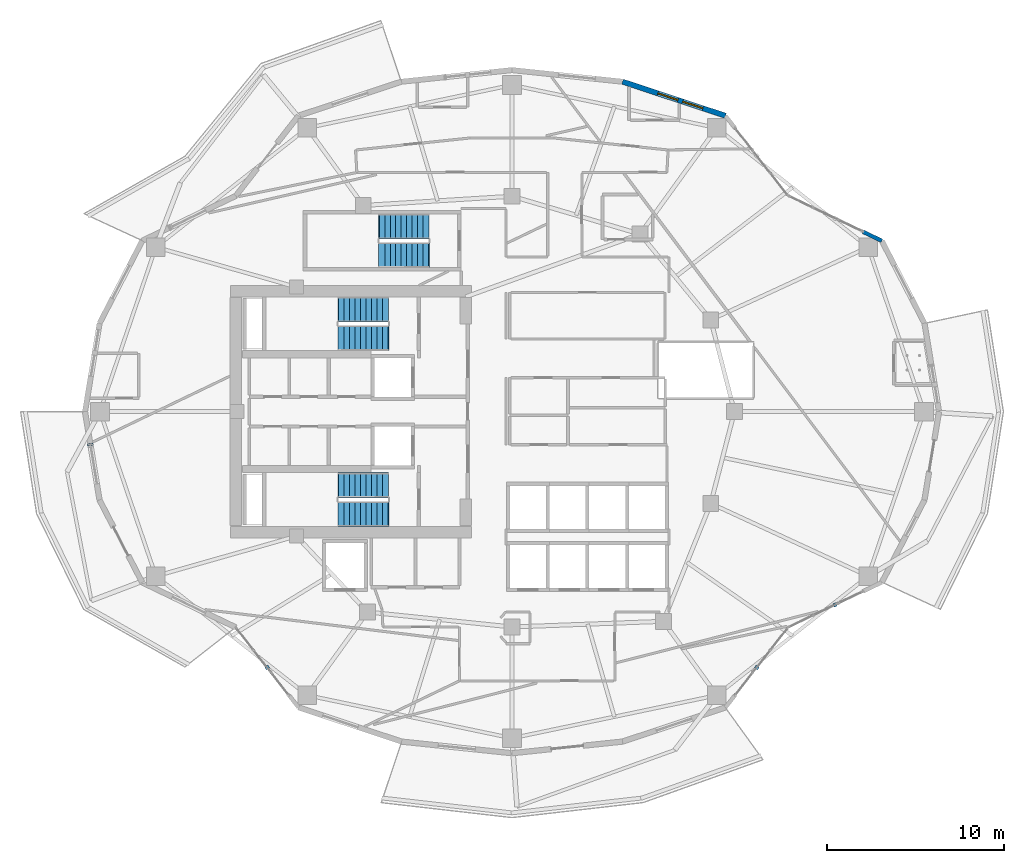
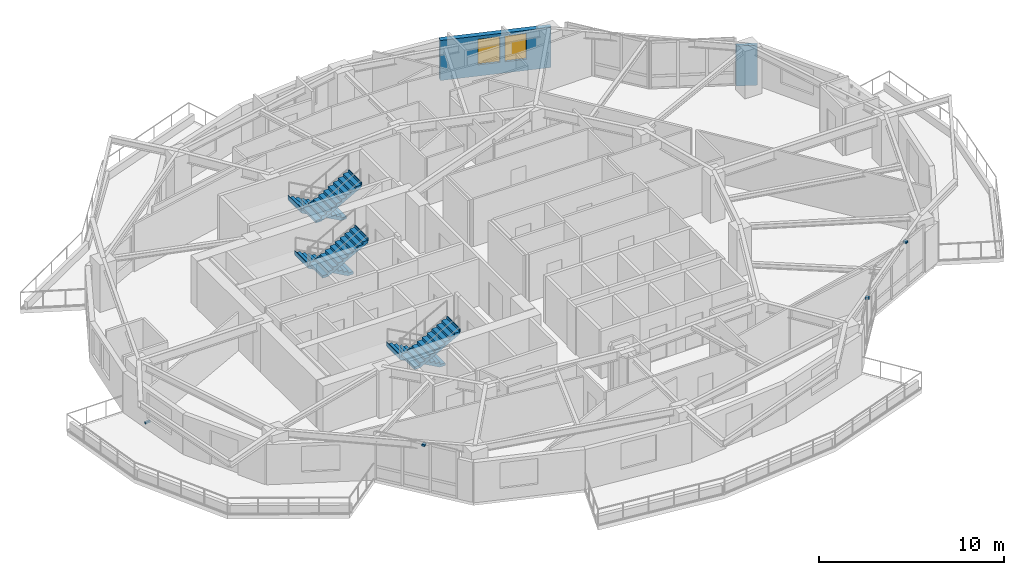
# One storey, part 13 of 19: 6 stair flights, 4 discrete accessories, 2 walls, 2 windows, 2 openings, 3 elements without a shape of their own.
"""IFC4 building model written with IfcOpenShell, lengths in metres."""

from ifc_helpers import new_model, si_unit, direction, frame, frame_2d, origin, origin_2d, place, context, subcontext, project, spatial, polyline, rectangle, outline, extrude, material, layer, layer_set, type_object, element, fill, aggregate, save


model = new_model("IFC4")

# Units and contexts
model_context = context("Model", 3, precision=1e-05, world=origin(), true_north=direction((0.0, 1.0)))
body_context = subcontext(model_context, "Body", "Model", "MODEL_VIEW")
ifc_project = project(units=[si_unit("LENGTHUNIT", "METRE"), si_unit("AREAUNIT", "SQUARE_METRE"), si_unit("VOLUMEUNIT", "CUBIC_METRE"), si_unit("PLANEANGLEUNIT", "RADIAN"), si_unit("MASSUNIT", "GRAM", prefix="KILO")], contexts=[model_context])

# Site, building, storey
site_placement = place(None, origin())
site = spatial("IfcSite", under=ifc_project, at=site_placement, CompositionType="ELEMENT")
building_placement = place(site_placement, origin())
building = spatial("IfcBuilding", under=site, at=building_placement, Name="Kolvaren Gate Tower and Convention Centre", CompositionType="ELEMENT")
storey_placement = place(building_placement, frame((0.0, 0.0, 122.300048828125)))
storey = spatial("IfcBuildingStorey", under=building, at=storey_placement, Name="L30", CompositionType="ELEMENT", Elevation=122.300048828125)

# Wall
ifc_material_1 = material(Name="Bogota Sabana Bush-Hammered Sandstone Cladding", Category="masonry")
ifc_layer_1 = layer(ifc_material_1, 0.219970703125)
ifc_layer_set_1 = layer_set([ifc_layer_1], Name="Bogota Sabana Bush-Hammered Sandstone Cladding")
wall_type_1 = type_object("IfcWallType", Name="ARCH-WL-PIER-220", PredefinedType="SOLIDWALL", material=ifc_layer_set_1)
wall_1_placement = place(storey_placement, frame((50.0068359375, 37.186767578125, 0.0), z_axis=(0.0, 0.0, 1.0), x_axis=(0.90138115854, -0.433026566193, 0.0)))
element("IfcWall", 1, at=wall_1_placement, inside=storey, type_object=wall_type_1, Name="Tower L30 Unitised Curtain Wall CW-HTL-UNIT Bay 02 Right Column Pier Wrap", PredefinedType="SOLIDWALL", context=body_context, shape_type="SweptSolid", body=[
    extrude(rectangle(XDim=1.181640625, YDim=0.219970703125, at=frame_2d((0.5908203125, 0.0))), origin(), (0.0, 0.0, 1.0), 2.65283203125),
])

# Wall, openings, windows
ifc_material_2 = material(Name="Piedmont Cream Honed Limestone Cladding", Category="masonry")
ifc_layer_2 = layer(ifc_material_2, 0.300048828125)
ifc_layer_set_2 = layer_set([ifc_layer_2], Name="Piedmont Cream Honed Limestone Cladding")
wall_type_2 = type_object("IfcWallType", Name="ARCH-WL-STONE-300", PredefinedType="SOLIDWALL", material=ifc_layer_set_2)
wall_2_placement = place(storey_placement, frame((36.38525390625, 45.690673828125, 0.0), z_axis=(0.0, 0.0, 1.0), x_axis=(0.949238009374, -0.314558741032, 0.0)))
wall_2 = element("IfcWall", 2, at=wall_2_placement, inside=storey, type_object=wall_type_2, Name="Tower L30 Honed Stone Spandrel Wall EW-04", PredefinedType="SOLIDWALL", context=body_context, shape_type="SweptSolid", body=[
    extrude(rectangle(XDim=6.1455078125, YDim=0.300048828125, at=frame_2d((3.07275390625, 0.0))), origin(), (0.0, 0.0, 1.0), 2.65283203125),
])
opening_1_placement = place(wall_2_placement, frame((2.107177734375, 0.0, 0.739990234375)))
opening_1 = element("IfcOpeningElement", 3, at=opening_1_placement, cuts=wall_2, Name="Opening W-04", PredefinedType="OPENING", context=body_context, shape_type="SweptSolid", body=[
    extrude(rectangle(XDim=1.199951171875, YDim=1.699951171875, at=frame_2d((0.60009765625, 0.85009765625))), frame((0.0, 0.159912109375, 0.0), z_axis=(0.0, -1.0, 0.0), x_axis=(1.0, 0.0, 0.0)), (0.0, 0.0, 1.0), 0.320068359375),
])
opening_2_placement = place(wall_2_placement, frame((3.587890625, 0.0, 0.739990234375)))
opening_2 = element("IfcOpeningElement", 4, at=opening_2_placement, cuts=wall_2, Name="Opening W-04", PredefinedType="OPENING", context=body_context, shape_type="SweptSolid", body=[
    extrude(rectangle(XDim=1.199951171875, YDim=1.699951171875, at=frame_2d((0.60009765625, 0.85009765625))), frame((0.0, 0.159912109375, 0.0), z_axis=(0.0, -1.0, 0.0), x_axis=(1.0, 0.0, 0.0)), (0.0, 0.0, 1.0), 0.320068359375),
])
ifc_material_3 = material(Name="Low-E Triple Insulated Glazing Unit 44 mm", Category="glass")
window_type = type_object("IfcWindowType", Name="ARCH-WN-NARROW-1200", PartitioningType="SINGLE_PANEL", PredefinedType="WINDOW", material=ifc_material_3)
window_1_placement = place(opening_1_placement, origin())
window_1 = element("IfcWindow", 5, at=window_1_placement, inside=storey, type_object=window_type, Name="Tower L30 Punched Stone Facade Window W-04", OverallHeight=1.699951171875, OverallWidth=1.199951171875, PartitioningType="SINGLE_PANEL", PredefinedType="WINDOW", context=body_context, shape_type="SweptSolid", body=[
    extrude(rectangle(XDim=1.199951171875, YDim=1.699951171875, at=frame_2d((0.60009765625, 0.85009765625))), frame((0.0, 0.030029296875, 0.0), z_axis=(0.0, -1.0, 0.0), x_axis=(1.0, 0.0, 0.0)), (0.0, 0.0, 1.0), 0.06005859375),
])
fill(opening_1, window_1)
window_2_placement = place(opening_2_placement, origin())
window_2 = element("IfcWindow", 6, at=window_2_placement, inside=storey, type_object=window_type, Name="Tower L30 Punched Stone Facade Window W-04B", OverallHeight=1.699951171875, OverallWidth=1.199951171875, PartitioningType="SINGLE_PANEL", PredefinedType="WINDOW", context=body_context, shape_type="SweptSolid", body=[
    extrude(rectangle(XDim=1.199951171875, YDim=1.699951171875, at=frame_2d((0.60009765625, 0.85009765625))), frame((0.0, 0.030029296875, 0.0), z_axis=(0.0, -1.0, 0.0), x_axis=(1.0, 0.0, 0.0)), (0.0, 0.0, 1.0), 0.06005859375),
])
fill(opening_2, window_2)

# Stair, stair flights
ifc_material_4 = material(Name="Concrete C50/60", Category="concrete")
stair_type = type_object("IfcStairType", Name="STR-STAIR-CORE", PredefinedType="HALF_TURN_STAIR", material=ifc_material_4)
stair_1_placement = place(storey_placement, origin())
stair_1 = element("IfcStair", 7, at=stair_1_placement, inside=storey, type_object=stair_type, Name="L30 Tower North Exit Stair ST-T1", PredefinedType="HALF_TURN_STAIR")
stair_flight_type = type_object("IfcStairFlightType", Name="STR-SFL-1420", PredefinedType="STRAIGHT", material=ifc_material_4)
stair_flight_1_placement = place(storey_placement, frame((23.10009765625, 32.7900390625, 0.0), z_axis=(0.0, 0.0, 1.0), x_axis=(-1.0, 0.0, 0.0)))
stair_flight_1 = element("IfcStairFlight", 8, at=stair_flight_1_placement, type_object=stair_flight_type, Name="ST-T1 flight 1", NumberOfRisers=10, NumberOfTreads=9, PredefinedType="STRAIGHT", RiserHeight=0.17, TreadLength=0.31, context=body_context, shape_type="SweptSolid", body=[
    extrude(outline(polyline([(-0.034912109375, 0.0), (-0.034912109375, 0.169921875), (0.31005859375, 0.169921875), (0.31005859375, 0.340087890625), (0.6201171875, 0.340087890625), (0.6201171875, 0.510009765625), (0.929931640625, 0.510009765625), (0.929931640625, 0.679931640625), (1.239990234375, 0.679931640625), (1.239990234375, 0.85009765625), (1.550048828125, 0.85009765625), (1.550048828125, 1.02001953125), (1.860107421875, 1.02001953125), (1.860107421875, 1.18994140625), (2.169921875, 1.18994140625), (2.169921875, 1.360107421875), (2.47998046875, 1.360107421875), (2.47998046875, 1.530029296875), (2.7900390625, 1.530029296875), (2.7900390625, 1.699951171875), (2.8349609375, 1.699951171875), (2.8349609375, 1.5400390625), (2.7900390625, 1.359130859375), (0.311767578125, 0.0), (-0.034912109375, 0.0)])), frame((0.0, 0.7099609375, 0.0), z_axis=(0.0, -1.0, 0.0), x_axis=(1.0, 0.0, 0.0)), (0.0, 0.0, 1.0), 1.419921875),
])
stair_flight_2_placement = place(storey_placement, frame((20.31005859375, 31.169921875, 1.699951171875), z_axis=(0.0, 0.0, 1.0), x_axis=(1.0, 0.0, 0.0)))
stair_flight_2 = element("IfcStairFlight", 9, at=stair_flight_2_placement, type_object=stair_flight_type, Name="ST-T1 flight 2", NumberOfRisers=10, NumberOfTreads=9, PredefinedType="STRAIGHT", RiserHeight=0.17, TreadLength=0.31, context=body_context, shape_type="SweptSolid", body=[
    extrude(outline(polyline([(-0.034912109375, 0.0), (-0.034912109375, 0.169921875), (0.31005859375, 0.169921875), (0.31005859375, 0.340087890625), (0.6201171875, 0.340087890625), (0.6201171875, 0.510009765625), (0.929931640625, 0.510009765625), (0.929931640625, 0.679931640625), (1.239990234375, 0.679931640625), (1.239990234375, 0.85009765625), (1.550048828125, 0.85009765625), (1.550048828125, 1.02001953125), (1.860107421875, 1.02001953125), (1.860107421875, 1.18994140625), (2.169921875, 1.18994140625), (2.169921875, 1.360107421875), (2.47998046875, 1.360107421875), (2.47998046875, 1.530029296875), (2.7900390625, 1.530029296875), (2.7900390625, 1.699951171875), (2.8349609375, 1.699951171875), (2.8349609375, 1.5400390625), (2.7900390625, 1.359130859375), (0.311767578125, 0.0), (-0.034912109375, 0.0)])), frame((0.0, 0.7099609375, 0.0), z_axis=(0.0, -1.0, 0.0), x_axis=(1.0, 0.0, 0.0)), (0.0, 0.0, 1.0), 1.419921875),
])
aggregate(stair_1, [stair_flight_1, stair_flight_2])

stair_2_placement = place(storey_placement, origin())
stair_2 = element("IfcStair", 10, at=stair_2_placement, inside=storey, type_object=stair_type, Name="L30 Tower South Exit Stair ST-T2", PredefinedType="HALF_TURN_STAIR")
stair_flight_3_placement = place(storey_placement, frame((23.10009765625, 22.830078125, 0.0), z_axis=(0.0, 0.0, 1.0), x_axis=(-1.0, 0.0, 0.0)))
stair_flight_3 = element("IfcStairFlight", 11, at=stair_flight_3_placement, type_object=stair_flight_type, Name="ST-T2 flight 1", NumberOfRisers=10, NumberOfTreads=9, PredefinedType="STRAIGHT", RiserHeight=0.17, TreadLength=0.31, context=body_context, shape_type="SweptSolid", body=[
    extrude(outline(polyline([(-0.034912109375, 0.0), (-0.034912109375, 0.169921875), (0.31005859375, 0.169921875), (0.31005859375, 0.340087890625), (0.6201171875, 0.340087890625), (0.6201171875, 0.510009765625), (0.929931640625, 0.510009765625), (0.929931640625, 0.679931640625), (1.239990234375, 0.679931640625), (1.239990234375, 0.85009765625), (1.550048828125, 0.85009765625), (1.550048828125, 1.02001953125), (1.860107421875, 1.02001953125), (1.860107421875, 1.18994140625), (2.169921875, 1.18994140625), (2.169921875, 1.360107421875), (2.47998046875, 1.360107421875), (2.47998046875, 1.530029296875), (2.7900390625, 1.530029296875), (2.7900390625, 1.699951171875), (2.8349609375, 1.699951171875), (2.8349609375, 1.5400390625), (2.7900390625, 1.359130859375), (0.311767578125, 0.0), (-0.034912109375, 0.0)])), frame((0.0, 0.7099609375, 0.0), z_axis=(0.0, -1.0, 0.0), x_axis=(1.0, 0.0, 0.0)), (0.0, 0.0, 1.0), 1.419921875),
])
stair_flight_4_placement = place(storey_placement, frame((20.31005859375, 21.2099609375, 1.699951171875), z_axis=(0.0, 0.0, 1.0), x_axis=(1.0, 0.0, 0.0)))
stair_flight_4 = element("IfcStairFlight", 12, at=stair_flight_4_placement, type_object=stair_flight_type, Name="ST-T2 flight 2", NumberOfRisers=10, NumberOfTreads=9, PredefinedType="STRAIGHT", RiserHeight=0.17, TreadLength=0.31, context=body_context, shape_type="SweptSolid", body=[
    extrude(outline(polyline([(-0.034912109375, 0.0), (-0.034912109375, 0.169921875), (0.31005859375, 0.169921875), (0.31005859375, 0.340087890625), (0.6201171875, 0.340087890625), (0.6201171875, 0.510009765625), (0.929931640625, 0.510009765625), (0.929931640625, 0.679931640625), (1.239990234375, 0.679931640625), (1.239990234375, 0.85009765625), (1.550048828125, 0.85009765625), (1.550048828125, 1.02001953125), (1.860107421875, 1.02001953125), (1.860107421875, 1.18994140625), (2.169921875, 1.18994140625), (2.169921875, 1.360107421875), (2.47998046875, 1.360107421875), (2.47998046875, 1.530029296875), (2.7900390625, 1.530029296875), (2.7900390625, 1.699951171875), (2.8349609375, 1.699951171875), (2.8349609375, 1.5400390625), (2.7900390625, 1.359130859375), (0.311767578125, 0.0), (-0.034912109375, 0.0)])), frame((0.0, 0.7099609375, 0.0), z_axis=(0.0, -1.0, 0.0), x_axis=(1.0, 0.0, 0.0)), (0.0, 0.0, 1.0), 1.419921875),
])
aggregate(stair_2, [stair_flight_3, stair_flight_4])

stair_3_placement = place(storey_placement, origin())
stair_3 = element("IfcStair", 13, at=stair_3_placement, inside=storey, type_object=stair_type, Name="L30 Tower Mid-Zone Exit Stair ST-T3", PredefinedType="HALF_TURN_STAIR")
stair_flight_5_placement = place(storey_placement, frame((25.39990234375, 37.489990234375, 0.0), z_axis=(0.0, 0.0, 1.0), x_axis=(-1.0, 0.0, 0.0)))
stair_flight_5 = element("IfcStairFlight", 14, at=stair_flight_5_placement, type_object=stair_flight_type, Name="ST-T3 flight 1", NumberOfRisers=10, NumberOfTreads=9, PredefinedType="STRAIGHT", RiserHeight=0.17, TreadLength=0.31, context=body_context, shape_type="SweptSolid", body=[
    extrude(outline(polyline([(-0.034912109375, 0.0), (-0.034912109375, 0.169921875), (0.31005859375, 0.169921875), (0.31005859375, 0.340087890625), (0.6201171875, 0.340087890625), (0.6201171875, 0.510009765625), (0.929931640625, 0.510009765625), (0.929931640625, 0.679931640625), (1.239990234375, 0.679931640625), (1.239990234375, 0.85009765625), (1.550048828125, 0.85009765625), (1.550048828125, 1.02001953125), (1.860107421875, 1.02001953125), (1.860107421875, 1.18994140625), (2.169921875, 1.18994140625), (2.169921875, 1.360107421875), (2.47998046875, 1.360107421875), (2.47998046875, 1.530029296875), (2.7900390625, 1.530029296875), (2.7900390625, 1.699951171875), (2.8349609375, 1.699951171875), (2.8349609375, 1.5400390625), (2.7900390625, 1.359130859375), (0.311767578125, 0.0), (-0.034912109375, 0.0)])), frame((0.0, 0.7099609375, 0.0), z_axis=(0.0, -1.0, 0.0), x_axis=(1.0, 0.0, 0.0)), (0.0, 0.0, 1.0), 1.419921875),
])
stair_flight_6_placement = place(storey_placement, frame((22.610107421875, 35.8701171875, 1.699951171875), z_axis=(0.0, 0.0, 1.0), x_axis=(1.0, 0.0, 0.0)))
stair_flight_6 = element("IfcStairFlight", 15, at=stair_flight_6_placement, type_object=stair_flight_type, Name="ST-T3 flight 2", NumberOfRisers=10, NumberOfTreads=9, PredefinedType="STRAIGHT", RiserHeight=0.17, TreadLength=0.31, context=body_context, shape_type="SweptSolid", body=[
    extrude(outline(polyline([(-0.034912109375, 0.0), (-0.034912109375, 0.169921875), (0.31005859375, 0.169921875), (0.31005859375, 0.340087890625), (0.6201171875, 0.340087890625), (0.6201171875, 0.510009765625), (0.929931640625, 0.510009765625), (0.929931640625, 0.679931640625), (1.239990234375, 0.679931640625), (1.239990234375, 0.85009765625), (1.550048828125, 0.85009765625), (1.550048828125, 1.02001953125), (1.860107421875, 1.02001953125), (1.860107421875, 1.18994140625), (2.169921875, 1.18994140625), (2.169921875, 1.360107421875), (2.47998046875, 1.360107421875), (2.47998046875, 1.530029296875), (2.7900390625, 1.530029296875), (2.7900390625, 1.699951171875), (2.8349609375, 1.699951171875), (2.8349609375, 1.5400390625), (2.7900390625, 1.359130859375), (0.311767578125, 0.0), (-0.034912109375, 0.0)])), frame((0.0, 0.7099609375, 0.0), z_axis=(0.0, -1.0, 0.0), x_axis=(1.0, 0.0, 0.0)), (0.0, 0.0, 1.0), 1.419921875),
])
aggregate(stair_3, [stair_flight_5, stair_flight_6])

# Discrete accessories
ifc_material_5 = material(Name="Anodized Architectural Aluminium Alloy 6063-T6", Category="aluminium")
discrete_accessory_type = type_object("IfcDiscreteAccessoryType", Name="ARCH-ACC-BRACKET-120", PredefinedType="BRACKET", material=ifc_material_5)
discrete_accessory_placement = place(storey_placement, frame((6.244384765625, 25.135009765625, 0.289794921875), z_axis=(0.0, 0.0, 1.0), x_axis=(0.162389178836, -0.986726788223, 0.0)))
element("IfcDiscreteAccessory", 16, at=discrete_accessory_placement, inside=storey, type_object=discrete_accessory_type, Name="Ceramic Fin Wall Anchor Bracket FBK-L30-12", PredefinedType="BRACKET", context=body_context, shape_type="SweptSolid", body=[
    extrude(rectangle(XDim=0.1201171875, YDim=0.320068359375, at=origin_2d()), origin(), (0.0, 0.0, 1.0), 0.1201171875),
])
for number, where, z_axis, x_axis, name in (
    (17, (16.256103515625, 12.509765625, 2.949951171875), (0.0, 0.0, 1.0), (0.616424499081, -0.787414018756, 0.0), "Solar Screen Spandrel Anchor Bracket BK-L30-15"),
    (18, (43.993896484375, 12.509765625, 2.949951171875), (0.0, 0.0, 1.0), (0.616424499081, 0.787414018756, 0.0), "Solar Screen Spandrel Anchor Bracket BK-L30-20"),
    (19, (48.42041015625, 16.051025390625, 2.949951171875), (0.0, 0.0, 1.0), (0.901362925045, 0.433064518696, 0.0), "Solar Screen Spandrel Anchor Bracket BK-L30-21"),
):
    element("IfcDiscreteAccessory", number, at=place(storey_placement, frame(where, z_axis=z_axis, x_axis=x_axis)), inside=storey, type_object=discrete_accessory_type, Name=name, PredefinedType="BRACKET", context=body_context, shape_type="SweptSolid", body=[
        extrude(rectangle(XDim=0.179931640625, YDim=0.219970703125, at=origin_2d()), origin(), (0.0, 0.0, 1.0), 0.1201171875),
    ])

save(model, "model.ifc")
